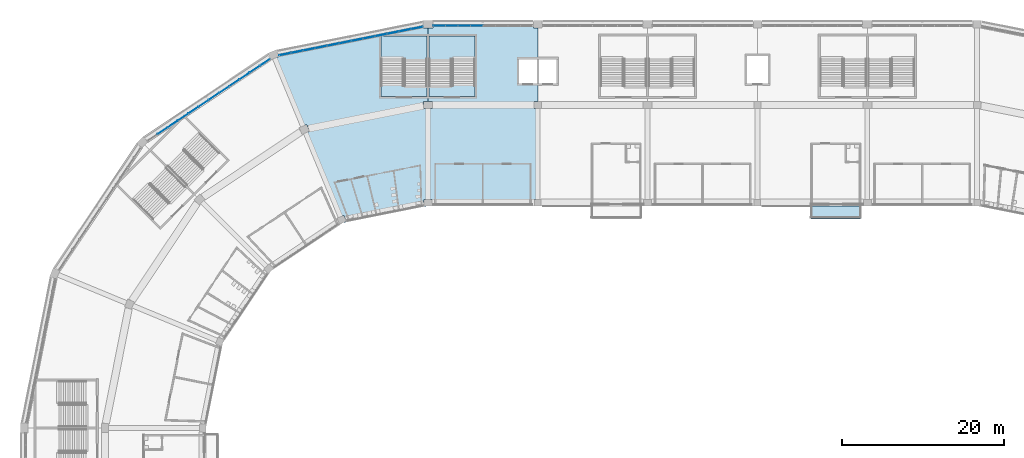
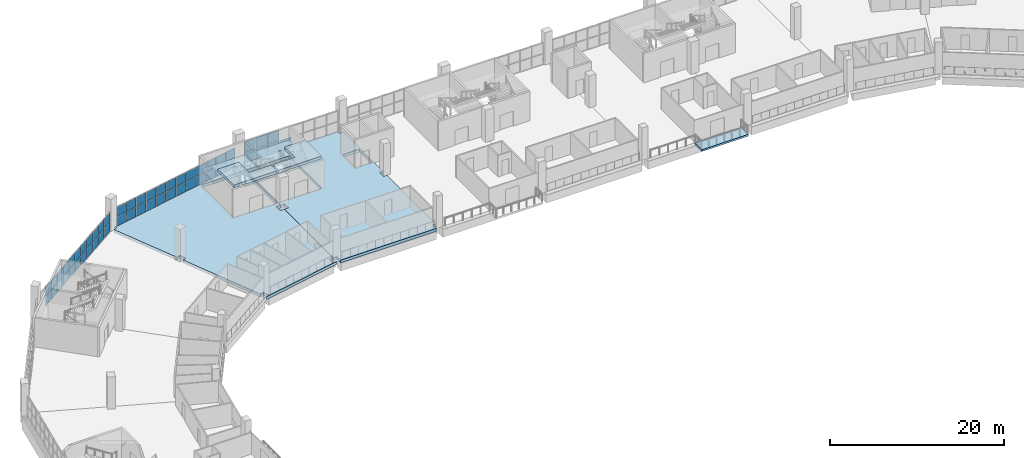
# One storey, part 68 of 199: 53 plates, 7 slabs, 5 elements without a shape of their own.
"""IFC4 building model written with IfcOpenShell, lengths in metres."""

import ifcopenshell
import ifcopenshell.guid

model = None  # the IFC model being written
_history = None  # IfcOwnerHistory: only IFC2X3 demands one
_inside = {}  # id of a spatial element -> (the spatial element, [elements in it])
_under = {}  # id of a project, library or spatial element -> (it, [spatial elements below it])
_declared = {}  # id of a project -> (the project, [libraries it declares])
_typed = {}  # id of a type object -> (the type object, [elements of that type])
_made_of = {}  # id of a material, layer set ... -> (it, [elements and type objects made of it])


def new_model(schema):
    """Start an empty IFC model of exactly this schema.

    Asked for "IFC4X3", IfcOpenShell would pick the latest addendum, in which some entities
    have other attributes; the version numbers below select the first issue.
    IFC2X3 requires an IfcOwnerHistory on every rooted entity: one is made here for all.
    """
    global model, _history
    if schema == "IFC4X3":
        model = ifcopenshell.file(schema_version=(4, 3, 0, 0))
    else:
        model = ifcopenshell.file(schema=schema)
    _inside.clear()
    _under.clear()
    _declared.clear()
    _typed.clear()
    _made_of.clear()
    _history = None
    if model.schema == "IFC2X3":
        org = make("IfcOrganization", Name="unknown")
        user = make(
            "IfcPersonAndOrganization",
            ThePerson=make("IfcPerson", FamilyName="unknown"),
            TheOrganization=org,
        )
        app = make(
            "IfcApplication",
            ApplicationDeveloper=org,
            Version="unknown",
            ApplicationFullName="unknown",
            ApplicationIdentifier="unknown",
        )
        _history = make(
            "IfcOwnerHistory",
            OwningUser=user,
            OwningApplication=app,
            ChangeAction="ADDED",
            CreationDate=0,
        )
    return model


def make(cls, **values):
    """One entity of the class cls with the attributes given. An attribute that is None is left unset."""
    return model.create_entity(
        cls, **{name: value for name, value in values.items() if value is not None}
    )


def rooted(cls, **values):
    """An entity with a GlobalId (a new one), such as an element, a storey or a relation."""
    return make(cls, GlobalId=ifcopenshell.guid.new(), OwnerHistory=_history, **values)


def si_unit(unit_type, name, prefix=None):
    """IfcSIUnit, for example si_unit("LENGTHUNIT", "METRE", prefix="MILLI")."""
    return make("IfcSIUnit", UnitType=unit_type, Prefix=prefix, Name=name)


def assignment(units):
    """IfcUnitAssignment: the units of a project."""
    return None if units is None else make("IfcUnitAssignment", Units=units)


def point(xyz):
    """IfcCartesianPoint."""
    return None if xyz is None else make("IfcCartesianPoint", Coordinates=xyz)


def direction(xyz):
    """IfcDirection."""
    return None if xyz is None else make("IfcDirection", DirectionRatios=xyz)


def frame(location, z_axis=None, x_axis=None):
    """IfcAxis2Placement3D, a coordinate frame: its origin and axes. An axis left out is left unset."""
    return make(
        "IfcAxis2Placement3D",
        Location=point(location),
        Axis=direction(z_axis),
        RefDirection=direction(x_axis),
    )


def frame_2d(location, x_axis=None):
    """IfcAxis2Placement2D, a coordinate frame in the plane: its origin and x axis."""
    return make(
        "IfcAxis2Placement2D", Location=point(location), RefDirection=direction(x_axis)
    )


def origin():
    """The frame at (0, 0, 0) with its axes left unset."""
    return frame((0.0, 0.0, 0.0))


def origin_2d():
    """The frame at (0, 0) in the plane with its x axis left unset."""
    return frame_2d((0.0, 0.0))


def place(relative_to, where):
    """IfcLocalPlacement: puts the frame where relative to a parent placement (None: the world)."""
    return make(
        "IfcLocalPlacement", PlacementRelTo=relative_to, RelativePlacement=where
    )


def context(
    kind, dimensions, precision=None, world=None, true_north=None, identifier=None
):
    """IfcGeometricRepresentationContext, for example the 3D "Model" context."""
    return make(
        "IfcGeometricRepresentationContext",
        ContextIdentifier=identifier,
        ContextType=kind,
        CoordinateSpaceDimension=dimensions,
        Precision=precision,
        WorldCoordinateSystem=world,
        TrueNorth=true_north,
    )


def subcontext(parent, identifier, kind, view, scale=None):
    """IfcGeometricRepresentationSubContext, for example "Body" below "Model"."""
    return make(
        "IfcGeometricRepresentationSubContext",
        ContextIdentifier=identifier,
        ContextType=kind,
        ParentContext=parent,
        TargetScale=scale,
        TargetView=view,
    )


def project(units=None, contexts=None):
    """IfcProject with its units and contexts."""
    return rooted(
        "IfcProject",
        Name="project",
        RepresentationContexts=contexts,
        UnitsInContext=assignment(units),
    )


def spatial(cls, under=None, at=None, **own):
    """A site, building, storey or space (cls), placed at a placement, below another one or the project."""
    s = rooted(cls, ObjectPlacement=at, **own)
    if under is not None:
        _under.setdefault(under.id(), (under, []))[1].append(s)
    return s


def polyline(points):
    """IfcPolyline through the points."""
    return make("IfcPolyline", Points=[point(p) for p in points])


def profile(cls, at=None, kind="AREA", **sizes):
    """A parametric profile (cls). Its sizes go by their IFC names, for example OverallWidth=200.0."""
    return make(cls, ProfileType=kind, Position=at, **sizes)


def rectangle(**sizes):
    """IfcRectangleProfileDef."""
    return profile("IfcRectangleProfileDef", **sizes)


def outline(outer, holes=None, kind="AREA"):
    """IfcArbitraryClosedProfileDef: a profile drawn as a closed curve; with holes, ...WithVoids."""
    if holes is None:
        return make("IfcArbitraryClosedProfileDef", ProfileType=kind, OuterCurve=outer)
    return make(
        "IfcArbitraryProfileDefWithVoids",
        ProfileType=kind,
        OuterCurve=outer,
        InnerCurves=holes,
    )


def extrude(swept, where, along, depth):
    """IfcExtrudedAreaSolid: the profile swept, set in the frame where, extruded along a direction by depth."""
    return make(
        "IfcExtrudedAreaSolid",
        SweptArea=swept,
        Position=where,
        ExtrudedDirection=direction(along),
        Depth=depth,
    )


def shape(context_of_items, identifier, shape_type, items):
    """IfcShapeRepresentation: the items that make up one representation, for example the "Body"."""
    return make(
        "IfcShapeRepresentation",
        ContextOfItems=context_of_items,
        RepresentationIdentifier=identifier,
        RepresentationType=shape_type,
        Items=items,
    )


def material(Name=None, Category=None):
    """IfcMaterial."""
    return make("IfcMaterial", Name=Name, Category=Category)


def layer(
    of_material, thickness, ventilated=None, Name=None, Category=None, Priority=None
):
    """IfcMaterialLayer: one layer of a wall or slab, of a material (None: an air gap)."""
    return make(
        "IfcMaterialLayer",
        Material=of_material,
        LayerThickness=thickness,
        IsVentilated=ventilated,
        Name=Name,
        Category=Category,
        Priority=Priority,
    )


def layer_set(layers, Name=None):
    """IfcMaterialLayerSet."""
    return make("IfcMaterialLayerSet", MaterialLayers=layers, LayerSetName=Name)


def made_of(thing, what):
    """Note that an element or type object is made of a material, layer set ...; save() writes the relation."""
    if what is not None:
        _made_of.setdefault(what.id(), (what, []))[1].append(thing)
    return thing


def type_object(cls, material=None, **own):
    """A type object (cls), such as IfcWallType, which elements share."""
    return made_of(rooted(cls, **own), material)


def element(
    cls,
    number,
    at=None,
    inside=None,
    cuts=None,
    type_object=None,
    material=None,
    context=None,
    identifier="Body",
    shape_type=None,
    held_by="IfcProductDefinitionShape",
    body=None,
    shapes=None,
    **own,
):
    """One element of the class cls, such as IfcWall. Its Tag is "e" and its number.

    at: its placement. inside: the storey or other place that contains it. cuts: it is an
    opening in that element (IfcRelVoidsElement). A single representation is given by context,
    identifier, shape_type and body (its items); several are given by shapes. held_by: the class
    of the entity that holds the representations. save() writes the other relations.
    """
    e = rooted(cls, Tag="e%d" % number, ObjectPlacement=at, **own)
    if body is not None:
        shapes = [shape(context, identifier, shape_type, body)]
    if shapes is not None:
        e.Representation = make(held_by, Representations=shapes)
    if inside is not None:
        _inside.setdefault(inside.id(), (inside, []))[1].append(e)
    if cuts is not None:
        rooted(
            "IfcRelVoidsElement", RelatingBuildingElement=cuts, RelatedOpeningElement=e
        )
    if type_object is not None:
        _typed.setdefault(type_object.id(), (type_object, []))[1].append(e)
    return made_of(e, material)


def aggregate(whole, parts):
    """IfcRelAggregates: a whole, such as a stair, and the parts it consists of."""
    return rooted("IfcRelAggregates", RelatingObject=whole, RelatedObjects=parts)


def save(model, path):
    """Write the relations noted so far, then the file.

    IfcRelAggregates (storeys below a building ...), IfcRelContainedInSpatialStructure (elements
    in a storey), IfcRelDefinesByType, IfcRelAssociatesMaterial and IfcRelDeclares: one each for
    every whole, place, type object, material and project.
    """
    for whole, parts in _under.values():
        aggregate(whole, parts)
    for where, things in _inside.values():
        rooted(
            "IfcRelContainedInSpatialStructure",
            RelatedElements=things,
            RelatingStructure=where,
        )
    for kind, things in _typed.values():
        rooted("IfcRelDefinesByType", RelatedObjects=things, RelatingType=kind)
    for what, things in _made_of.values():
        rooted("IfcRelAssociatesMaterial", RelatedObjects=things, RelatingMaterial=what)
    for by, libraries in _declared.values():
        rooted("IfcRelDeclares", RelatingContext=by, RelatedDefinitions=libraries)
    model.write(path)


model = new_model("IFC4")

# Units and contexts
model_context = context("Model", 3, precision=1e-05, world=origin(), true_north=direction((0.0, 1.0)))
body_context = subcontext(model_context, "Body", "Model", "MODEL_VIEW")
ifc_project = project(units=[si_unit("LENGTHUNIT", "METRE"), si_unit("AREAUNIT", "SQUARE_METRE"), si_unit("VOLUMEUNIT", "CUBIC_METRE"), si_unit("PLANEANGLEUNIT", "RADIAN"), si_unit("MASSUNIT", "GRAM", prefix="KILO")], contexts=[model_context])

# Site, building, storey
site_placement = place(None, origin())
site = spatial("IfcSite", under=ifc_project, at=site_placement, CompositionType="ELEMENT")
building_placement = place(site_placement, origin())
building = spatial("IfcBuilding", under=site, at=building_placement, Name="Ogive Plaza Stadium", CompositionType="ELEMENT")
storey_placement = place(building_placement, frame((0.0, 0.0, 9.0)))
storey = spatial("IfcBuildingStorey", under=building, at=storey_placement, Name="L02", CompositionType="ELEMENT", Elevation=9.0)

# Slab
ifc_material_1 = material(Name="Concrete C40/50", Category="concrete")
ifc_layer_1 = layer(ifc_material_1, 0.25)
ifc_layer_set_1 = layer_set([ifc_layer_1], Name="Concrete C40/50")
slab_type_1 = type_object("IfcSlabType", Name="Balcony slab 250", PredefinedType="FLOOR", material=ifc_layer_set_1)
slab_1_placement = place(storey_placement, frame((0.0, 0.0, -0.25)))
element("IfcSlab", 1, at=slab_1_placement, inside=storey, type_object=slab_type_1, Name="Suite terrace slab B35", PredefinedType="FLOOR", context=body_context, shape_type="SweptSolid", body=[
    extrude(outline(polyline([(19.574951171875, 78.39990234375), (19.574951171875, 80.0), (13.425048828125, 80.0), (13.425048828125, 78.39990234375), (19.574951171875, 78.39990234375)])), origin(), (0.0, 0.0, 1.0), 0.25),
])

# Curtain wall, plates
ifc_material_2 = material(Name="Bronze-anodised aluminium with laminated glass", Category="aluminium")
curtain_wall_type = type_object("IfcCurtainWallType", Name="Lancet curtain wall", PredefinedType="NOTDEFINED", material=ifc_material_2)
curtain_wall_1_placement = place(storey_placement, origin())
curtain_wall_1 = element("IfcCurtainWall", 2, at=curtain_wall_1_placement, inside=storey, type_object=curtain_wall_type, Name="CURTAIN WALL B30 L02", PredefinedType="NOTDEFINED")
ifc_material_3 = material(Name="Laminated glass", Category="glass")
ifc_layer_2 = layer(ifc_material_3, 0.028076171875)
ifc_layer_set_2 = layer_set([ifc_layer_2], Name="Laminated glass panel 28")
plate_type = type_object("IfcPlateType", Name="Laminated glass panel 28", PredefinedType="CURTAIN_PANEL", material=ifc_layer_set_2)
plate_1_placement = place(storey_placement, frame((-66.82958984375, 89.302490234375, 0.0498046875), z_axis=(0.0, 0.0, 1.0), x_axis=(0.831469612303, 0.55557023302, 0.0)))
plate_1 = element("IfcPlate", 3, at=plate_1_placement, type_object=plate_type, Name="CW-B30-L02 panel 2.1", PredefinedType="CURTAIN_PANEL", context=body_context, shape_type="SweptSolid", body=[
    extrude(rectangle(XDim=1.472412109375, YDim=0.028076171875, at=origin_2d()), origin(), (0.0, 0.0, 1.0), 1.320068359375),
])
plate_2_placement = place(storey_placement, frame((-66.82958984375, 89.302490234375, 1.419921875), z_axis=(0.0, 0.0, 1.0), x_axis=(0.831469612303, 0.55557023302, 0.0)))
plate_2 = element("IfcPlate", 4, at=plate_2_placement, type_object=plate_type, Name="CW-B30-L02 panel 2.2", PredefinedType="CURTAIN_PANEL", context=body_context, shape_type="SweptSolid", body=[
    extrude(rectangle(XDim=1.472412109375, YDim=0.028076171875, at=origin_2d()), origin(), (0.0, 0.0, 1.0), 1.320068359375),
])
plate_3_placement = place(storey_placement, frame((-65.56396484375, 90.148193359375, 0.0498046875), z_axis=(0.0, 0.0, 1.0), x_axis=(0.831469612303, 0.55557023302, 0.0)))
plate_3 = element("IfcPlate", 5, at=plate_3_placement, type_object=plate_type, Name="CW-B30-L02 panel 3.1", PredefinedType="CURTAIN_PANEL", context=body_context, shape_type="SweptSolid", body=[
    extrude(rectangle(XDim=1.472412109375, YDim=0.028076171875, at=origin_2d()), origin(), (0.0, 0.0, 1.0), 1.320068359375),
])
plate_4_placement = place(storey_placement, frame((-65.56396484375, 90.148193359375, 1.419921875), z_axis=(0.0, 0.0, 1.0), x_axis=(0.831469612303, 0.55557023302, 0.0)))
plate_4 = element("IfcPlate", 6, at=plate_4_placement, type_object=plate_type, Name="CW-B30-L02 panel 3.2", PredefinedType="CURTAIN_PANEL", context=body_context, shape_type="SweptSolid", body=[
    extrude(rectangle(XDim=1.472412109375, YDim=0.028076171875, at=origin_2d()), origin(), (0.0, 0.0, 1.0), 1.320068359375),
])
plate_5_placement = place(storey_placement, frame((-64.298095703125, 90.993896484375, 0.0498046875), z_axis=(0.0, 0.0, 1.0), x_axis=(0.831469612303, 0.55557023302, 0.0)))
plate_5 = element("IfcPlate", 7, at=plate_5_placement, type_object=plate_type, Name="CW-B30-L02 panel 4.1", PredefinedType="CURTAIN_PANEL", context=body_context, shape_type="SweptSolid", body=[
    extrude(rectangle(XDim=1.472412109375, YDim=0.028076171875, at=origin_2d()), origin(), (0.0, 0.0, 1.0), 1.320068359375),
])
plate_6_placement = place(storey_placement, frame((-64.298095703125, 90.993896484375, 1.419921875), z_axis=(0.0, 0.0, 1.0), x_axis=(0.831469612303, 0.55557023302, 0.0)))
plate_6 = element("IfcPlate", 8, at=plate_6_placement, type_object=plate_type, Name="CW-B30-L02 panel 4.2", PredefinedType="CURTAIN_PANEL", context=body_context, shape_type="SweptSolid", body=[
    extrude(rectangle(XDim=1.472412109375, YDim=0.028076171875, at=origin_2d()), origin(), (0.0, 0.0, 1.0), 1.320068359375),
])
plate_7_placement = place(storey_placement, frame((-63.0322265625, 91.839599609375, 0.0498046875), z_axis=(0.0, 0.0, 1.0), x_axis=(0.831469612303, 0.55557023302, 0.0)))
plate_7 = element("IfcPlate", 9, at=plate_7_placement, type_object=plate_type, Name="CW-B30-L02 panel 5.1", PredefinedType="CURTAIN_PANEL", context=body_context, shape_type="SweptSolid", body=[
    extrude(rectangle(XDim=1.472412109375, YDim=0.028076171875, at=origin_2d()), origin(), (0.0, 0.0, 1.0), 1.320068359375),
])
plate_8_placement = place(storey_placement, frame((-63.0322265625, 91.839599609375, 1.419921875), z_axis=(0.0, 0.0, 1.0), x_axis=(0.831469612303, 0.55557023302, 0.0)))
plate_8 = element("IfcPlate", 10, at=plate_8_placement, type_object=plate_type, Name="CW-B30-L02 panel 5.2", PredefinedType="CURTAIN_PANEL", context=body_context, shape_type="SweptSolid", body=[
    extrude(rectangle(XDim=1.472412109375, YDim=0.028076171875, at=origin_2d()), origin(), (0.0, 0.0, 1.0), 1.320068359375),
])
plate_9_placement = place(storey_placement, frame((-61.7666015625, 92.685546875, 0.0498046875), z_axis=(0.0, 0.0, 1.0), x_axis=(0.831469612303, 0.55557023302, 0.0)))
plate_9 = element("IfcPlate", 11, at=plate_9_placement, type_object=plate_type, Name="CW-B30-L02 panel 6.1", PredefinedType="CURTAIN_PANEL", context=body_context, shape_type="SweptSolid", body=[
    extrude(rectangle(XDim=1.472412109375, YDim=0.028076171875, at=origin_2d()), origin(), (0.0, 0.0, 1.0), 1.320068359375),
])
plate_10_placement = place(storey_placement, frame((-61.7666015625, 92.685546875, 1.419921875), z_axis=(0.0, 0.0, 1.0), x_axis=(0.831469612303, 0.55557023302, 0.0)))
plate_10 = element("IfcPlate", 12, at=plate_10_placement, type_object=plate_type, Name="CW-B30-L02 panel 6.2", PredefinedType="CURTAIN_PANEL", context=body_context, shape_type="SweptSolid", body=[
    extrude(rectangle(XDim=1.472412109375, YDim=0.028076171875, at=origin_2d()), origin(), (0.0, 0.0, 1.0), 1.320068359375),
])
plate_11_placement = place(storey_placement, frame((-60.500732421875, 93.53125, 0.0498046875), z_axis=(0.0, 0.0, 1.0), x_axis=(0.831469612303, 0.55557023302, 0.0)))
plate_11 = element("IfcPlate", 13, at=plate_11_placement, type_object=plate_type, Name="CW-B30-L02 panel 7.1", PredefinedType="CURTAIN_PANEL", context=body_context, shape_type="SweptSolid", body=[
    extrude(rectangle(XDim=1.472412109375, YDim=0.028076171875, at=origin_2d()), origin(), (0.0, 0.0, 1.0), 1.320068359375),
])
plate_12_placement = place(storey_placement, frame((-60.500732421875, 93.53125, 1.419921875), z_axis=(0.0, 0.0, 1.0), x_axis=(0.831469612303, 0.55557023302, 0.0)))
plate_12 = element("IfcPlate", 14, at=plate_12_placement, type_object=plate_type, Name="CW-B30-L02 panel 7.2", PredefinedType="CURTAIN_PANEL", context=body_context, shape_type="SweptSolid", body=[
    extrude(rectangle(XDim=1.472412109375, YDim=0.028076171875, at=origin_2d()), origin(), (0.0, 0.0, 1.0), 1.320068359375),
])
plate_13_placement = place(storey_placement, frame((-59.23486328125, 94.376953125, 0.0498046875), z_axis=(0.0, 0.0, 1.0), x_axis=(0.831469612303, 0.55557023302, 0.0)))
plate_13 = element("IfcPlate", 15, at=plate_13_placement, type_object=plate_type, Name="CW-B30-L02 panel 8.1", PredefinedType="CURTAIN_PANEL", context=body_context, shape_type="SweptSolid", body=[
    extrude(rectangle(XDim=1.472412109375, YDim=0.028076171875, at=origin_2d()), origin(), (0.0, 0.0, 1.0), 1.320068359375),
])
plate_14_placement = place(storey_placement, frame((-59.23486328125, 94.376953125, 1.419921875), z_axis=(0.0, 0.0, 1.0), x_axis=(0.831469612303, 0.55557023302, 0.0)))
plate_14 = element("IfcPlate", 16, at=plate_14_placement, type_object=plate_type, Name="CW-B30-L02 panel 8.2", PredefinedType="CURTAIN_PANEL", context=body_context, shape_type="SweptSolid", body=[
    extrude(rectangle(XDim=1.472412109375, YDim=0.028076171875, at=origin_2d()), origin(), (0.0, 0.0, 1.0), 1.320068359375),
])
plate_15_placement = place(storey_placement, frame((-57.96923828125, 95.222900390625, 0.0498046875), z_axis=(0.0, 0.0, 1.0), x_axis=(0.831469612303, 0.55557023302, 0.0)))
plate_15 = element("IfcPlate", 17, at=plate_15_placement, type_object=plate_type, Name="CW-B30-L02 panel 9.1", PredefinedType="CURTAIN_PANEL", context=body_context, shape_type="SweptSolid", body=[
    extrude(rectangle(XDim=1.472412109375, YDim=0.028076171875, at=origin_2d()), origin(), (0.0, 0.0, 1.0), 1.320068359375),
])
plate_16_placement = place(storey_placement, frame((-57.96923828125, 95.222900390625, 1.419921875), z_axis=(0.0, 0.0, 1.0), x_axis=(0.831469612303, 0.55557023302, 0.0)))
plate_16 = element("IfcPlate", 18, at=plate_16_placement, type_object=plate_type, Name="CW-B30-L02 panel 9.2", PredefinedType="CURTAIN_PANEL", context=body_context, shape_type="SweptSolid", body=[
    extrude(rectangle(XDim=1.472412109375, YDim=0.028076171875, at=origin_2d()), origin(), (0.0, 0.0, 1.0), 1.320068359375),
])
plate_17_placement = place(storey_placement, frame((-56.703369140625, 96.068603515625, 0.0498046875), z_axis=(0.0, 0.0, 1.0), x_axis=(0.831469612303, 0.55557023302, 0.0)))
plate_17 = element("IfcPlate", 19, at=plate_17_placement, type_object=plate_type, Name="CW-B30-L02 panel 10.1", PredefinedType="CURTAIN_PANEL", context=body_context, shape_type="SweptSolid", body=[
    extrude(rectangle(XDim=1.472412109375, YDim=0.028076171875, at=origin_2d()), origin(), (0.0, 0.0, 1.0), 1.320068359375),
])
plate_18_placement = place(storey_placement, frame((-56.703369140625, 96.068603515625, 1.419921875), z_axis=(0.0, 0.0, 1.0), x_axis=(0.831469612303, 0.55557023302, 0.0)))
plate_18 = element("IfcPlate", 20, at=plate_18_placement, type_object=plate_type, Name="CW-B30-L02 panel 10.2", PredefinedType="CURTAIN_PANEL", context=body_context, shape_type="SweptSolid", body=[
    extrude(rectangle(XDim=1.472412109375, YDim=0.028076171875, at=origin_2d()), origin(), (0.0, 0.0, 1.0), 1.320068359375),
])
plate_19_placement = place(storey_placement, frame((-55.4375, 96.914306640625, 0.0498046875), z_axis=(0.0, 0.0, 1.0), x_axis=(0.831469612303, 0.55557023302, 0.0)))
plate_19 = element("IfcPlate", 21, at=plate_19_placement, type_object=plate_type, Name="CW-B30-L02 panel 11.1", PredefinedType="CURTAIN_PANEL", context=body_context, shape_type="SweptSolid", body=[
    extrude(rectangle(XDim=1.472412109375, YDim=0.028076171875, at=origin_2d()), origin(), (0.0, 0.0, 1.0), 1.320068359375),
])
plate_20_placement = place(storey_placement, frame((-55.4375, 96.914306640625, 1.419921875), z_axis=(0.0, 0.0, 1.0), x_axis=(0.831469612303, 0.55557023302, 0.0)))
plate_20 = element("IfcPlate", 22, at=plate_20_placement, type_object=plate_type, Name="CW-B30-L02 panel 11.2", PredefinedType="CURTAIN_PANEL", context=body_context, shape_type="SweptSolid", body=[
    extrude(rectangle(XDim=1.472412109375, YDim=0.028076171875, at=origin_2d()), origin(), (0.0, 0.0, 1.0), 1.320068359375),
])
plate_21_placement = place(storey_placement, frame((-54.18212890625, 97.753173828125, 0.0498046875), z_axis=(0.0, 0.0, 1.0), x_axis=(0.831469612303, 0.55557023302, 0.0)))
plate_21 = element("IfcPlate", 23, at=plate_21_placement, type_object=plate_type, Name="CW-B30-L02 panel 12.1", PredefinedType="CURTAIN_PANEL", context=body_context, shape_type="SweptSolid", body=[
    extrude(rectangle(XDim=1.447265625, YDim=0.028076171875, at=origin_2d()), origin(), (0.0, 0.0, 1.0), 1.320068359375),
])
plate_22_placement = place(storey_placement, frame((-54.18212890625, 97.753173828125, 1.419921875), z_axis=(0.0, 0.0, 1.0), x_axis=(0.831469612303, 0.55557023302, 0.0)))
plate_22 = element("IfcPlate", 24, at=plate_22_placement, type_object=plate_type, Name="CW-B30-L02 panel 12.2", PredefinedType="CURTAIN_PANEL", context=body_context, shape_type="SweptSolid", body=[
    extrude(rectangle(XDim=1.447265625, YDim=0.028076171875, at=origin_2d()), origin(), (0.0, 0.0, 1.0), 1.320068359375),
])
aggregate(curtain_wall_1, [plate_1, plate_2, plate_3, plate_4, plate_5, plate_6, plate_7, plate_8, plate_9, plate_10, plate_11, plate_12, plate_13, plate_14, plate_15, plate_16, plate_17, plate_18, plate_19, plate_20, plate_21, plate_22])

curtain_wall_2_placement = place(storey_placement, origin())
curtain_wall_2 = element("IfcCurtainWall", 25, at=curtain_wall_2_placement, inside=storey, type_object=curtain_wall_type, Name="CURTAIN WALL B31 L02", PredefinedType="NOTDEFINED")
plate_23_placement = place(storey_placement, frame((-51.681884765625, 98.77880859375, 0.0498046875), z_axis=(0.0, 0.0, 1.0), x_axis=(0.980785280403, 0.195090322016, 0.0)))
plate_23 = element("IfcPlate", 26, at=plate_23_placement, type_object=plate_type, Name="CW-B31-L02 panel 1.1", PredefinedType="CURTAIN_PANEL", context=body_context, shape_type="SweptSolid", body=[
    extrude(rectangle(XDim=1.43896484375, YDim=0.028076171875, at=origin_2d()), origin(), (0.0, 0.0, 1.0), 1.320068359375),
])
plate_24_placement = place(storey_placement, frame((-51.681884765625, 98.77880859375, 1.419921875), z_axis=(0.0, 0.0, 1.0), x_axis=(0.980785280403, 0.195090322016, 0.0)))
plate_24 = element("IfcPlate", 27, at=plate_24_placement, type_object=plate_type, Name="CW-B31-L02 panel 1.2", PredefinedType="CURTAIN_PANEL", context=body_context, shape_type="SweptSolid", body=[
    extrude(rectangle(XDim=1.43896484375, YDim=0.028076171875, at=origin_2d()), origin(), (0.0, 0.0, 1.0), 1.320068359375),
])
plate_25_placement = place(storey_placement, frame((-50.20947265625, 99.07177734375, 0.0498046875), z_axis=(0.0, 0.0, 1.0), x_axis=(0.980785280403, 0.195090322016, 0.0)))
plate_25 = element("IfcPlate", 28, at=plate_25_placement, type_object=plate_type, Name="CW-B31-L02 panel 2.1", PredefinedType="CURTAIN_PANEL", context=body_context, shape_type="SweptSolid", body=[
    extrude(rectangle(XDim=1.4638671875, YDim=0.028076171875, at=origin_2d()), origin(), (0.0, 0.0, 1.0), 1.320068359375),
])
plate_26_placement = place(storey_placement, frame((-50.20947265625, 99.07177734375, 1.419921875), z_axis=(0.0, 0.0, 1.0), x_axis=(0.980785280403, 0.195090322016, 0.0)))
plate_26 = element("IfcPlate", 29, at=plate_26_placement, type_object=plate_type, Name="CW-B31-L02 panel 2.2", PredefinedType="CURTAIN_PANEL", context=body_context, shape_type="SweptSolid", body=[
    extrude(rectangle(XDim=1.4638671875, YDim=0.028076171875, at=origin_2d()), origin(), (0.0, 0.0, 1.0), 1.320068359375),
])
plate_27_placement = place(storey_placement, frame((-48.724609375, 99.3671875, 0.0498046875), z_axis=(0.0, 0.0, 1.0), x_axis=(0.980785280403, 0.195090322016, 0.0)))
plate_27 = element("IfcPlate", 30, at=plate_27_placement, type_object=plate_type, Name="CW-B31-L02 panel 3.1", PredefinedType="CURTAIN_PANEL", context=body_context, shape_type="SweptSolid", body=[
    extrude(rectangle(XDim=1.4638671875, YDim=0.028076171875, at=origin_2d()), origin(), (0.0, 0.0, 1.0), 1.320068359375),
])
plate_28_placement = place(storey_placement, frame((-48.724609375, 99.3671875, 1.419921875), z_axis=(0.0, 0.0, 1.0), x_axis=(0.980785280403, 0.195090322016, 0.0)))
plate_28 = element("IfcPlate", 31, at=plate_28_placement, type_object=plate_type, Name="CW-B31-L02 panel 3.2", PredefinedType="CURTAIN_PANEL", context=body_context, shape_type="SweptSolid", body=[
    extrude(rectangle(XDim=1.4638671875, YDim=0.028076171875, at=origin_2d()), origin(), (0.0, 0.0, 1.0), 1.320068359375),
])
plate_29_placement = place(storey_placement, frame((-47.239990234375, 99.66259765625, 0.0498046875), z_axis=(0.0, 0.0, 1.0), x_axis=(0.980785280403, 0.195090322016, 0.0)))
plate_29 = element("IfcPlate", 32, at=plate_29_placement, type_object=plate_type, Name="CW-B31-L02 panel 4.1", PredefinedType="CURTAIN_PANEL", context=body_context, shape_type="SweptSolid", body=[
    extrude(rectangle(XDim=1.4638671875, YDim=0.028076171875, at=origin_2d()), origin(), (0.0, 0.0, 1.0), 1.320068359375),
])
plate_30_placement = place(storey_placement, frame((-47.239990234375, 99.66259765625, 1.419921875), z_axis=(0.0, 0.0, 1.0), x_axis=(0.980785280403, 0.195090322016, 0.0)))
plate_30 = element("IfcPlate", 33, at=plate_30_placement, type_object=plate_type, Name="CW-B31-L02 panel 4.2", PredefinedType="CURTAIN_PANEL", context=body_context, shape_type="SweptSolid", body=[
    extrude(rectangle(XDim=1.4638671875, YDim=0.028076171875, at=origin_2d()), origin(), (0.0, 0.0, 1.0), 1.320068359375),
])
plate_31_placement = place(storey_placement, frame((-45.755126953125, 99.957763671875, 0.0498046875), z_axis=(0.0, 0.0, 1.0), x_axis=(0.980785280403, 0.195090322016, 0.0)))
plate_31 = element("IfcPlate", 34, at=plate_31_placement, type_object=plate_type, Name="CW-B31-L02 panel 5.1", PredefinedType="CURTAIN_PANEL", context=body_context, shape_type="SweptSolid", body=[
    extrude(rectangle(XDim=1.4638671875, YDim=0.028076171875, at=origin_2d()), origin(), (0.0, 0.0, 1.0), 1.320068359375),
])
plate_32_placement = place(storey_placement, frame((-45.755126953125, 99.957763671875, 1.419921875), z_axis=(0.0, 0.0, 1.0), x_axis=(0.980785280403, 0.195090322016, 0.0)))
plate_32 = element("IfcPlate", 35, at=plate_32_placement, type_object=plate_type, Name="CW-B31-L02 panel 5.2", PredefinedType="CURTAIN_PANEL", context=body_context, shape_type="SweptSolid", body=[
    extrude(rectangle(XDim=1.4638671875, YDim=0.028076171875, at=origin_2d()), origin(), (0.0, 0.0, 1.0), 1.320068359375),
])
plate_33_placement = place(storey_placement, frame((-44.2705078125, 100.253173828125, 0.0498046875), z_axis=(0.0, 0.0, 1.0), x_axis=(0.980785280403, 0.195090322016, 0.0)))
plate_33 = element("IfcPlate", 36, at=plate_33_placement, type_object=plate_type, Name="CW-B31-L02 panel 6.1", PredefinedType="CURTAIN_PANEL", context=body_context, shape_type="SweptSolid", body=[
    extrude(rectangle(XDim=1.4638671875, YDim=0.028076171875, at=origin_2d()), origin(), (0.0, 0.0, 1.0), 1.320068359375),
])
plate_34_placement = place(storey_placement, frame((-44.2705078125, 100.253173828125, 1.419921875), z_axis=(0.0, 0.0, 1.0), x_axis=(0.980785280403, 0.195090322016, 0.0)))
plate_34 = element("IfcPlate", 37, at=plate_34_placement, type_object=plate_type, Name="CW-B31-L02 panel 6.2", PredefinedType="CURTAIN_PANEL", context=body_context, shape_type="SweptSolid", body=[
    extrude(rectangle(XDim=1.4638671875, YDim=0.028076171875, at=origin_2d()), origin(), (0.0, 0.0, 1.0), 1.320068359375),
])
plate_35_placement = place(storey_placement, frame((-42.78564453125, 100.548583984375, 0.0498046875), z_axis=(0.0, 0.0, 1.0), x_axis=(0.980785280403, 0.195090322016, 0.0)))
plate_35 = element("IfcPlate", 38, at=plate_35_placement, type_object=plate_type, Name="CW-B31-L02 panel 7.1", PredefinedType="CURTAIN_PANEL", context=body_context, shape_type="SweptSolid", body=[
    extrude(rectangle(XDim=1.4638671875, YDim=0.028076171875, at=origin_2d()), origin(), (0.0, 0.0, 1.0), 1.320068359375),
])
plate_36_placement = place(storey_placement, frame((-42.78564453125, 100.548583984375, 1.419921875), z_axis=(0.0, 0.0, 1.0), x_axis=(0.980785280403, 0.195090322016, 0.0)))
plate_36 = element("IfcPlate", 39, at=plate_36_placement, type_object=plate_type, Name="CW-B31-L02 panel 7.2", PredefinedType="CURTAIN_PANEL", context=body_context, shape_type="SweptSolid", body=[
    extrude(rectangle(XDim=1.4638671875, YDim=0.028076171875, at=origin_2d()), origin(), (0.0, 0.0, 1.0), 1.320068359375),
])
plate_37_placement = place(storey_placement, frame((-41.301025390625, 100.84375, 0.0498046875), z_axis=(0.0, 0.0, 1.0), x_axis=(0.980785280403, 0.195090322016, 0.0)))
plate_37 = element("IfcPlate", 40, at=plate_37_placement, type_object=plate_type, Name="CW-B31-L02 panel 8.1", PredefinedType="CURTAIN_PANEL", context=body_context, shape_type="SweptSolid", body=[
    extrude(rectangle(XDim=1.4638671875, YDim=0.028076171875, at=origin_2d()), origin(), (0.0, 0.0, 1.0), 1.320068359375),
])
plate_38_placement = place(storey_placement, frame((-41.301025390625, 100.84375, 1.419921875), z_axis=(0.0, 0.0, 1.0), x_axis=(0.980785280403, 0.195090322016, 0.0)))
plate_38 = element("IfcPlate", 41, at=plate_38_placement, type_object=plate_type, Name="CW-B31-L02 panel 8.2", PredefinedType="CURTAIN_PANEL", context=body_context, shape_type="SweptSolid", body=[
    extrude(rectangle(XDim=1.4638671875, YDim=0.028076171875, at=origin_2d()), origin(), (0.0, 0.0, 1.0), 1.320068359375),
])
plate_39_placement = place(storey_placement, frame((-39.816162109375, 101.13916015625, 0.0498046875), z_axis=(0.0, 0.0, 1.0), x_axis=(0.980785280403, 0.195090322016, 0.0)))
plate_39 = element("IfcPlate", 42, at=plate_39_placement, type_object=plate_type, Name="CW-B31-L02 panel 9.1", PredefinedType="CURTAIN_PANEL", context=body_context, shape_type="SweptSolid", body=[
    extrude(rectangle(XDim=1.4638671875, YDim=0.028076171875, at=origin_2d()), origin(), (0.0, 0.0, 1.0), 1.320068359375),
])
plate_40_placement = place(storey_placement, frame((-39.816162109375, 101.13916015625, 1.419921875), z_axis=(0.0, 0.0, 1.0), x_axis=(0.980785280403, 0.195090322016, 0.0)))
plate_40 = element("IfcPlate", 43, at=plate_40_placement, type_object=plate_type, Name="CW-B31-L02 panel 9.2", PredefinedType="CURTAIN_PANEL", context=body_context, shape_type="SweptSolid", body=[
    extrude(rectangle(XDim=1.4638671875, YDim=0.028076171875, at=origin_2d()), origin(), (0.0, 0.0, 1.0), 1.320068359375),
])
plate_41_placement = place(storey_placement, frame((-38.331298828125, 101.4345703125, 0.0498046875), z_axis=(0.0, 0.0, 1.0), x_axis=(0.980785280403, 0.195090322016, 0.0)))
plate_41 = element("IfcPlate", 44, at=plate_41_placement, type_object=plate_type, Name="CW-B31-L02 panel 10.1", PredefinedType="CURTAIN_PANEL", context=body_context, shape_type="SweptSolid", body=[
    extrude(rectangle(XDim=1.4638671875, YDim=0.028076171875, at=origin_2d()), origin(), (0.0, 0.0, 1.0), 1.320068359375),
])
plate_42_placement = place(storey_placement, frame((-38.331298828125, 101.4345703125, 1.419921875), z_axis=(0.0, 0.0, 1.0), x_axis=(0.980785280403, 0.195090322016, 0.0)))
plate_42 = element("IfcPlate", 45, at=plate_42_placement, type_object=plate_type, Name="CW-B31-L02 panel 10.2", PredefinedType="CURTAIN_PANEL", context=body_context, shape_type="SweptSolid", body=[
    extrude(rectangle(XDim=1.4638671875, YDim=0.028076171875, at=origin_2d()), origin(), (0.0, 0.0, 1.0), 1.320068359375),
])
plate_43_placement = place(storey_placement, frame((-36.8466796875, 101.729736328125, 0.0498046875), z_axis=(0.0, 0.0, 1.0), x_axis=(0.980785280403, 0.195090322016, 0.0)))
plate_43 = element("IfcPlate", 46, at=plate_43_placement, type_object=plate_type, Name="CW-B31-L02 panel 11.1", PredefinedType="CURTAIN_PANEL", context=body_context, shape_type="SweptSolid", body=[
    extrude(rectangle(XDim=1.4638671875, YDim=0.028076171875, at=origin_2d()), origin(), (0.0, 0.0, 1.0), 1.320068359375),
])
plate_44_placement = place(storey_placement, frame((-36.8466796875, 101.729736328125, 1.419921875), z_axis=(0.0, 0.0, 1.0), x_axis=(0.980785280403, 0.195090322016, 0.0)))
plate_44 = element("IfcPlate", 47, at=plate_44_placement, type_object=plate_type, Name="CW-B31-L02 panel 11.2", PredefinedType="CURTAIN_PANEL", context=body_context, shape_type="SweptSolid", body=[
    extrude(rectangle(XDim=1.4638671875, YDim=0.028076171875, at=origin_2d()), origin(), (0.0, 0.0, 1.0), 1.320068359375),
])
plate_45_placement = place(storey_placement, frame((-35.374267578125, 102.022705078125, 0.0498046875), z_axis=(0.0, 0.0, 1.0), x_axis=(0.980785280403, 0.195090322016, 0.0)))
plate_45 = element("IfcPlate", 48, at=plate_45_placement, type_object=plate_type, Name="CW-B31-L02 panel 12.1", PredefinedType="CURTAIN_PANEL", context=body_context, shape_type="SweptSolid", body=[
    extrude(rectangle(XDim=1.43896484375, YDim=0.028076171875, at=origin_2d()), origin(), (0.0, 0.0, 1.0), 1.320068359375),
])
plate_46_placement = place(storey_placement, frame((-35.374267578125, 102.022705078125, 1.419921875), z_axis=(0.0, 0.0, 1.0), x_axis=(0.980785280403, 0.195090322016, 0.0)))
plate_46 = element("IfcPlate", 49, at=plate_46_placement, type_object=plate_type, Name="CW-B31-L02 panel 12.2", PredefinedType="CURTAIN_PANEL", context=body_context, shape_type="SweptSolid", body=[
    extrude(rectangle(XDim=1.43896484375, YDim=0.028076171875, at=origin_2d()), origin(), (0.0, 0.0, 1.0), 1.320068359375),
])
aggregate(curtain_wall_2, [plate_23, plate_24, plate_25, plate_26, plate_27, plate_28, plate_29, plate_30, plate_31, plate_32, plate_33, plate_34, plate_35, plate_36, plate_37, plate_38, plate_39, plate_40, plate_41, plate_42, plate_43, plate_44, plate_45, plate_46])

curtain_wall_3_placement = place(storey_placement, origin())
curtain_wall_3 = element("IfcCurtainWall", 50, at=curtain_wall_3_placement, inside=storey, type_object=curtain_wall_type, Name="CURTAIN WALL B32 L02", PredefinedType="NOTDEFINED")
plate_47_placement = place(storey_placement, frame((-32.612548828125, 102.300048828125, 0.0498046875), z_axis=(0.0, 0.0, 1.0), x_axis=(1.0, 0.0, 0.0)))
plate_47 = element("IfcPlate", 51, at=plate_47_placement, type_object=plate_type, Name="CW-B32-L02 panel 1.1", PredefinedType="CURTAIN_PANEL", context=body_context, shape_type="SweptSolid", body=[
    extrude(rectangle(XDim=1.47509765625, YDim=0.028076171875, at=origin_2d()), origin(), (0.0, 0.0, 1.0), 1.469970703125),
])
plate_48_placement = place(storey_placement, frame((-32.612548828125, 102.300048828125, 1.56982421875), z_axis=(0.0, 0.0, 1.0), x_axis=(1.0, 0.0, 0.0)))
plate_48 = element("IfcPlate", 52, at=plate_48_placement, type_object=plate_type, Name="CW-B32-L02 panel 1.2", PredefinedType="CURTAIN_PANEL", context=body_context, shape_type="SweptSolid", body=[
    extrude(rectangle(XDim=1.47509765625, YDim=0.028076171875, at=origin_2d()), origin(), (0.0, 0.0, 1.0), 1.469970703125),
])
plate_49_placement = place(storey_placement, frame((-31.074951171875, 102.300048828125, 0.0498046875), z_axis=(0.0, 0.0, 1.0), x_axis=(1.0, 0.0, 0.0)))
plate_49 = element("IfcPlate", 53, at=plate_49_placement, type_object=plate_type, Name="CW-B32-L02 panel 2.1", PredefinedType="CURTAIN_PANEL", context=body_context, shape_type="SweptSolid", body=[
    extrude(rectangle(XDim=1.5, YDim=0.028076171875, at=origin_2d()), origin(), (0.0, 0.0, 1.0), 1.469970703125),
])
plate_50_placement = place(storey_placement, frame((-31.074951171875, 102.300048828125, 1.56982421875), z_axis=(0.0, 0.0, 1.0), x_axis=(1.0, 0.0, 0.0)))
plate_50 = element("IfcPlate", 54, at=plate_50_placement, type_object=plate_type, Name="CW-B32-L02 panel 2.2", PredefinedType="CURTAIN_PANEL", context=body_context, shape_type="SweptSolid", body=[
    extrude(rectangle(XDim=1.5, YDim=0.028076171875, at=origin_2d()), origin(), (0.0, 0.0, 1.0), 1.469970703125),
])
plate_51_placement = place(storey_placement, frame((-29.52490234375, 102.300048828125, 0.0498046875), z_axis=(0.0, 0.0, 1.0), x_axis=(1.0, 0.0, 0.0)))
plate_51 = element("IfcPlate", 55, at=plate_51_placement, type_object=plate_type, Name="CW-B32-L02 panel 3.1", PredefinedType="CURTAIN_PANEL", context=body_context, shape_type="SweptSolid", body=[
    extrude(rectangle(XDim=1.5, YDim=0.028076171875, at=origin_2d()), origin(), (0.0, 0.0, 1.0), 1.469970703125),
])
plate_52_placement = place(storey_placement, frame((-29.52490234375, 102.300048828125, 1.56982421875), z_axis=(0.0, 0.0, 1.0), x_axis=(1.0, 0.0, 0.0)))
plate_52 = element("IfcPlate", 56, at=plate_52_placement, type_object=plate_type, Name="CW-B32-L02 panel 3.2", PredefinedType="CURTAIN_PANEL", context=body_context, shape_type="SweptSolid", body=[
    extrude(rectangle(XDim=1.5, YDim=0.028076171875, at=origin_2d()), origin(), (0.0, 0.0, 1.0), 1.469970703125),
])
plate_53_placement = place(storey_placement, frame((-27.97509765625, 102.300048828125, 0.0498046875), z_axis=(0.0, 0.0, 1.0), x_axis=(1.0, 0.0, 0.0)))
plate_53 = element("IfcPlate", 57, at=plate_53_placement, type_object=plate_type, Name="CW-B32-L02 panel 4.1", PredefinedType="CURTAIN_PANEL", context=body_context, shape_type="SweptSolid", body=[
    extrude(rectangle(XDim=1.5, YDim=0.028076171875, at=origin_2d()), origin(), (0.0, 0.0, 1.0), 1.469970703125),
])
aggregate(curtain_wall_3, [plate_47, plate_48, plate_49, plate_50, plate_51, plate_52, plate_53])

# Slabs
ifc_material_4 = material(Name="Concrete C40/50", Category="concrete")
ifc_layer_3 = layer(ifc_material_4, 0.409912109375)
ifc_layer_set_3 = layer_set([ifc_layer_3], Name="Concrete C40/50")
slab_type_2 = type_object("IfcSlabType", Name="RC floor slab 410", PredefinedType="FLOOR", material=ifc_layer_set_3)
slab_2_placement = place(storey_placement, frame((0.0, 0.0, -0.409912109375)))
element("IfcSlab", 58, at=slab_2_placement, inside=storey, type_object=slab_type_2, Name="Floor slab L02 B31", PredefinedType="FLOOR", context=body_context, shape_type="SweptSolid", body=[
    extrude(outline(polyline([(-34.0, 92.050048828125), (-34.550048828125, 92.050048828125), (-34.550048828125, 92.949951171875), (-34.0, 92.949951171875), (-34.0, 102.050048828125), (-34.60009765625, 102.050048828125), (-34.60009765625, 102.380615234375), (-52.584228515625, 98.803466796875), (-52.453857421875, 98.48876953125), (-52.9619140625, 98.2783203125), (-49.4794921875, 89.870849609375), (-49.017578125, 90.062255859375), (-48.673095703125, 89.230712890625), (-49.135009765625, 89.03955078125), (-44.829833984375, 78.645751953125), (-44.414306640625, 78.818115234375), (-44.108154296875, 78.078857421875), (-44.523681640625, 77.90673828125), (-34.0, 80.0), (-34.5, 80.0), (-34.5, 80.800048828125), (-34.0, 80.800048828125), (-34.0, 92.050048828125)]), holes=[polyline([(-39.824951171875, 93.550048828125), (-34.125, 93.550048828125), (-34.125, 101.010009765625), (-39.824951171875, 101.010009765625), (-39.824951171875, 93.550048828125)])]), origin(), (0.0, 0.0, 1.0), 0.409912109375),
])
slab_3_placement = place(storey_placement, frame((0.0, 0.0, -0.409912109375)))
element("IfcSlab", 59, at=slab_3_placement, inside=storey, type_object=slab_type_2, Name="Floor slab L02 B32", PredefinedType="FLOOR", context=body_context, shape_type="SweptSolid", body=[
    extrude(outline(polyline([(-20.39990234375, 92.050048828125), (-20.85009765625, 92.050048828125), (-20.85009765625, 92.949951171875), (-20.39990234375, 92.949951171875), (-20.39990234375, 102.050048828125), (-20.89990234375, 102.050048828125), (-20.89990234375, 102.5), (-33.39990234375, 102.5), (-33.39990234375, 102.050048828125), (-34.0, 102.050048828125), (-34.0, 92.949951171875), (-33.449951171875, 92.949951171875), (-33.449951171875, 92.050048828125), (-34.0, 92.050048828125), (-34.0, 80.800048828125), (-33.5, 80.800048828125), (-33.5, 80.0), (-20.800048828125, 80.0), (-20.800048828125, 80.800048828125), (-20.39990234375, 80.800048828125), (-20.39990234375, 92.050048828125)]), holes=[polyline([(-20.52490234375, 95.14990234375), (-20.52490234375, 98.14990234375), (-22.72509765625, 98.14990234375), (-22.72509765625, 95.14990234375), (-20.52490234375, 95.14990234375)]), polyline([(-33.875, 93.550048828125), (-28.175048828125, 93.550048828125), (-28.175048828125, 101.010009765625), (-33.875, 101.010009765625), (-33.875, 93.550048828125)])]), origin(), (0.0, 0.0, 1.0), 0.409912109375),
])

# Stair, slabs
ifc_material_5 = material(Name="Concrete C40/50", Category="concrete")
stair_type = type_object("IfcStairType", Name="Exit stair", PredefinedType="STRAIGHT_RUN_STAIR", material=ifc_material_5)
stair_1_placement = place(storey_placement, origin())
stair_1 = element("IfcStair", 60, at=stair_1_placement, inside=storey, type_object=stair_type, Name="Exit stair ST32A L02 to L03", PredefinedType="STRAIGHT_RUN_STAIR")
ifc_material_6 = material(Name="Concrete C40/50", Category="concrete")
ifc_layer_4 = layer(ifc_material_6, 0.39990234375)
ifc_layer_set_4 = layer_set([ifc_layer_4], Name="Concrete C40/50")
slab_type_3 = type_object("IfcSlabType", Name="Stair landing", PredefinedType="LANDING", material=ifc_layer_set_4)
slab_4_placement = place(storey_placement, frame((0.0, 0.0, 1.85009765625)))
slab_4 = element("IfcSlab", 61, at=slab_4_placement, type_object=slab_type_3, Name="ST32A landing 1", PredefinedType="LANDING", context=body_context, shape_type="SweptSolid", body=[
    extrude(outline(polyline([(-33.875, 101.010009765625), (-28.175048828125, 101.010009765625), (-28.175048828125, 98.2099609375), (-31.074951171875, 98.2099609375), (-31.074951171875, 95.81005859375), (-33.875, 95.81005859375), (-33.875, 98.2099609375), (-33.875, 101.010009765625)])), origin(), (0.0, 0.0, 1.0), 0.39990234375),
])
slab_5_placement = place(storey_placement, frame((0.0, 0.0, 4.10009765625)))
slab_5 = element("IfcSlab", 62, at=slab_5_placement, type_object=slab_type_3, Name="ST32A landing 2", PredefinedType="LANDING", context=body_context, shape_type="SweptSolid", body=[
    extrude(outline(polyline([(-30.97509765625, 97.25), (-28.175048828125, 97.25), (-28.175048828125, 94.85009765625), (-28.175048828125, 93.550048828125), (-33.875, 93.550048828125), (-33.875, 94.85009765625), (-30.97509765625, 94.85009765625), (-30.97509765625, 97.25)])), origin(), (0.0, 0.0, 1.0), 0.39990234375),
])
aggregate(stair_1, [slab_4, slab_5])

stair_2_placement = place(storey_placement, origin())
stair_2 = element("IfcStair", 63, at=stair_2_placement, inside=storey, type_object=stair_type, Name="Exit stair ST32B L02 to L03", PredefinedType="STRAIGHT_RUN_STAIR")
slab_6_placement = place(storey_placement, frame((0.0, 0.0, 1.85009765625)))
slab_6 = element("IfcSlab", 64, at=slab_6_placement, type_object=slab_type_3, Name="ST32B landing 1", PredefinedType="LANDING", context=body_context, shape_type="SweptSolid", body=[
    extrude(outline(polyline([(-34.125, 95.81005859375), (-36.925048828125, 95.81005859375), (-36.925048828125, 98.2099609375), (-39.824951171875, 98.2099609375), (-39.824951171875, 101.010009765625), (-34.125, 101.010009765625), (-34.125, 98.2099609375), (-34.125, 95.81005859375)])), origin(), (0.0, 0.0, 1.0), 0.39990234375),
])
slab_7_placement = place(storey_placement, frame((0.0, 0.0, 4.10009765625)))
slab_7 = element("IfcSlab", 65, at=slab_7_placement, type_object=slab_type_3, Name="ST32B landing 2", PredefinedType="LANDING", context=body_context, shape_type="SweptSolid", body=[
    extrude(outline(polyline([(-34.125, 94.85009765625), (-34.125, 93.550048828125), (-39.824951171875, 93.550048828125), (-39.824951171875, 94.85009765625), (-39.824951171875, 97.25), (-37.02490234375, 97.25), (-37.02490234375, 94.85009765625), (-34.125, 94.85009765625)])), origin(), (0.0, 0.0, 1.0), 0.39990234375),
])
aggregate(stair_2, [slab_6, slab_7])

save(model, "model.ifc")
